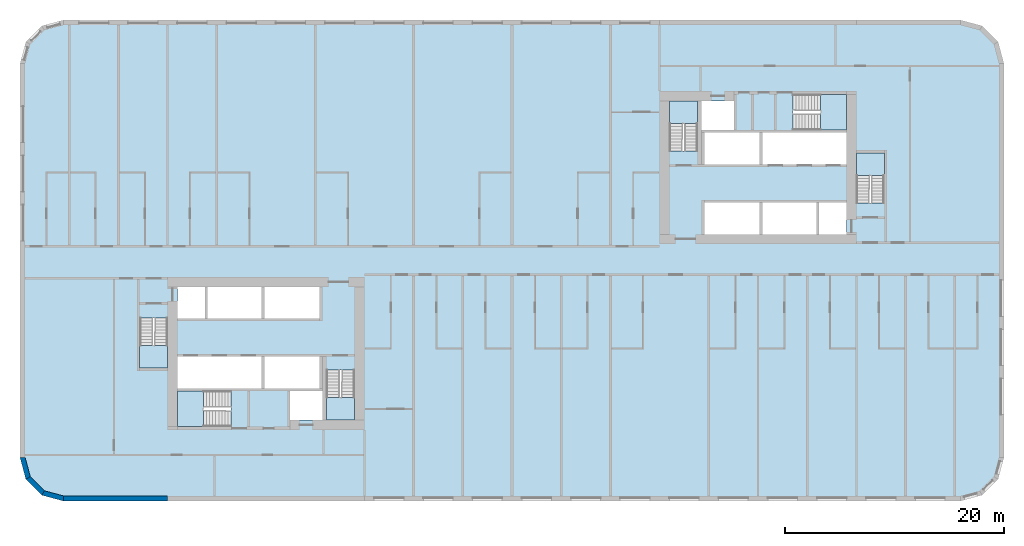
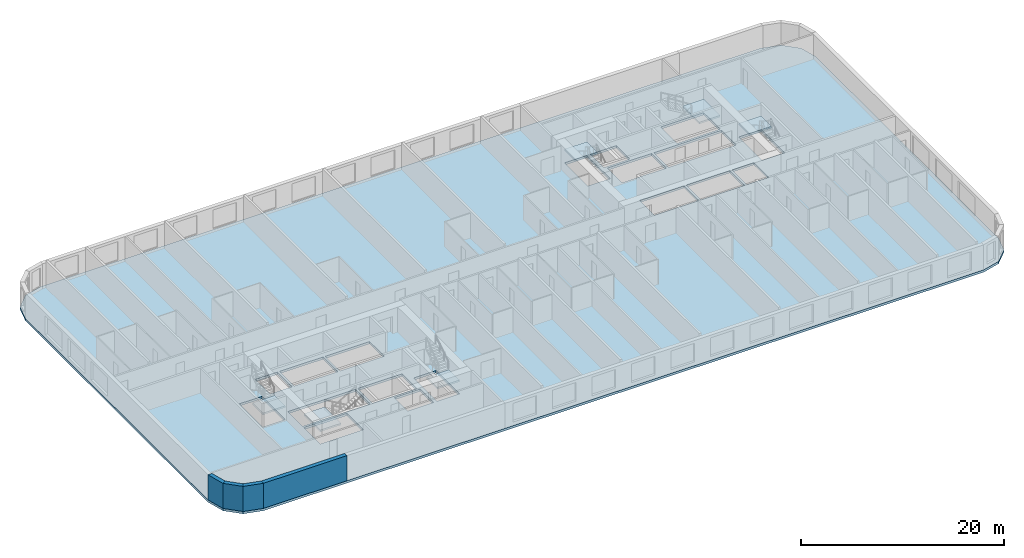
# One storey, part 1 of 12: 7 slabs, 4 walls, 6 elements without a shape of their own.
"""IFC4 building model written with IfcOpenShell, lengths in metres."""

from ifc_helpers import new_model, si_unit, direction, frame, frame_2d, origin, place, context, subcontext, project, spatial, polyline, rectangle, outline, extrude, material, layer, layer_set, type_object, element, aggregate, save


model = new_model("IFC4")

# Units and contexts
model_context = context("Model", 3, precision=1e-05, world=origin(), true_north=direction((0.0, 1.0)))
body_context = subcontext(model_context, "Body", "Model", "MODEL_VIEW")
ifc_project = project(units=[si_unit("LENGTHUNIT", "METRE"), si_unit("AREAUNIT", "SQUARE_METRE"), si_unit("VOLUMEUNIT", "CUBIC_METRE"), si_unit("PLANEANGLEUNIT", "RADIAN"), si_unit("MASSUNIT", "GRAM", prefix="KILO")], contexts=[model_context])

# Site, building, storey
site_placement = place(None, origin())
site = spatial("IfcSite", under=ifc_project, at=site_placement, CompositionType="ELEMENT")
building_placement = place(site_placement, origin())
building = spatial("IfcBuilding", under=site, at=building_placement, Name="Kajstack Hotel Tower", CompositionType="ELEMENT")
storey_placement = place(building_placement, frame((0.0, 0.0, 86.39990234375)))
storey = spatial("IfcBuildingStorey", under=building, at=storey_placement, Name="L17", CompositionType="ELEMENT", Elevation=86.39990234375)

# Slab
ifc_material_1 = material(Name="Concrete C40/50", Category="concrete")
ifc_layer_1 = layer(ifc_material_1, 0.280029296875)
ifc_layer_set_1 = layer_set([ifc_layer_1], Name="RC slab 280 C40/50 guest")
slab_type_1 = type_object("IfcSlabType", Name="RC slab 280 C40/50 guest", PredefinedType="FLOOR", material=ifc_layer_set_1)
slab_1_placement = place(storey_placement, frame((0.0, 0.0, -0.27978515625)))
element("IfcSlab", 1, at=slab_1_placement, inside=storey, type_object=slab_type_1, Name="S-slab-L17", PredefinedType="FLOOR", context=body_context, shape_type="SweptSolid", body=[
    extrude(outline(polyline([(-45.0, -18.0), (-44.464111328125, -20.0), (-43.0, -21.464111328125), (-41.0, -22.0), (41.0, -22.0), (43.0, -21.464111328125), (44.464111328125, -20.0), (45.0, -18.0), (45.0, 18.0), (44.464111328125, 20.0), (43.0, 21.464111328125), (41.0, 22.0), (-41.0, 22.0), (-43.0, 21.464111328125), (-44.464111328125, 20.0), (-45.0, 18.0), (-45.0, -18.0)]), holes=[polyline([(-30.60009765625, -11.699951171875), (-30.60009765625, -8.800048828125), (-22.89990234375, -8.800048828125), (-22.89990234375, -11.699951171875), (-30.60009765625, -11.699951171875)]), polyline([(-22.64990234375, -11.699951171875), (-22.64990234375, -8.800048828125), (-17.60009765625, -8.800048828125), (-17.60009765625, -11.699951171875), (-22.64990234375, -11.699951171875)]), polyline([(-27.85009765625, -5.300048828125), (-27.85009765625, -2.39990234375), (-22.89990234375, -2.39990234375), (-22.89990234375, -5.300048828125), (-27.85009765625, -5.300048828125)]), polyline([(-22.64990234375, -5.300048828125), (-22.64990234375, -2.39990234375), (-17.60009765625, -2.39990234375), (-17.60009765625, -5.300048828125), (-22.64990234375, -5.300048828125)]), polyline([(-20.300048828125, -14.60009765625), (-17.35009765625, -14.60009765625), (-17.35009765625, -11.949951171875), (-20.300048828125, -11.949951171875), (-20.300048828125, -14.60009765625)]), polyline([(-30.60009765625, -5.300048828125), (-28.10009765625, -5.300048828125), (-28.10009765625, -2.39990234375), (-30.60009765625, -2.39990234375), (-30.60009765625, -5.300048828125)]), polyline([(22.89990234375, 8.800048828125), (22.89990234375, 11.699951171875), (30.60009765625, 11.699951171875), (30.60009765625, 8.800048828125), (22.89990234375, 8.800048828125)]), polyline([(17.60009765625, 8.800048828125), (17.60009765625, 11.699951171875), (22.64990234375, 11.699951171875), (22.64990234375, 8.800048828125), (17.60009765625, 8.800048828125)]), polyline([(22.89990234375, 2.39990234375), (22.89990234375, 5.300048828125), (27.85009765625, 5.300048828125), (27.85009765625, 2.39990234375), (22.89990234375, 2.39990234375)]), polyline([(17.60009765625, 2.39990234375), (17.60009765625, 5.300048828125), (22.64990234375, 5.300048828125), (22.64990234375, 2.39990234375), (17.60009765625, 2.39990234375)]), polyline([(20.300048828125, 14.60009765625), (17.35009765625, 14.60009765625), (17.35009765625, 11.949951171875), (20.300048828125, 11.949951171875), (20.300048828125, 14.60009765625)]), polyline([(30.60009765625, 5.300048828125), (28.10009765625, 5.300048828125), (28.10009765625, 2.39990234375), (30.60009765625, 2.39990234375), (30.60009765625, 5.300048828125)]), polyline([(-34.050048828125, -9.85009765625), (-31.5, -9.85009765625), (-31.5, -5.25), (-34.050048828125, -5.25), (-34.050048828125, -9.85009765625)]), polyline([(-16.949951171875, -14.60009765625), (-14.39990234375, -14.60009765625), (-14.39990234375, -10.0), (-16.949951171875, -10.0), (-16.949951171875, -14.60009765625)]), polyline([(-30.60009765625, -15.199951171875), (-25.699951171875, -15.199951171875), (-25.699951171875, -11.949951171875), (-30.60009765625, -11.949951171875), (-30.60009765625, -15.199951171875)]), polyline([(34.050048828125, 9.85009765625), (31.5, 9.85009765625), (31.5, 5.25), (34.050048828125, 5.25), (34.050048828125, 9.85009765625)]), polyline([(16.949951171875, 14.60009765625), (14.39990234375, 14.60009765625), (14.39990234375, 10.0), (16.949951171875, 10.0), (16.949951171875, 14.60009765625)]), polyline([(30.60009765625, 15.199951171875), (25.699951171875, 15.199951171875), (25.699951171875, 11.949951171875), (30.60009765625, 11.949951171875), (30.60009765625, 15.199951171875)])]), origin(), (0.0, 0.0, 1.0), 0.27978515625),
])

# Stair, slab
stair_type_1 = type_object("IfcStairType", Name="Exit stair 1200", PredefinedType="HALF_TURN_STAIR", material=ifc_material_1)
stair_1_placement = place(storey_placement, origin())
stair_1 = element("IfcStair", 2, at=stair_1_placement, inside=storey, type_object=stair_type_1, Name="L17 stair W1", PredefinedType="HALF_TURN_STAIR")
ifc_layer_2 = layer(ifc_material_1, 0.199951171875)
ifc_layer_set_2 = layer_set([ifc_layer_2], Name="Stair landing 200")
slab_type_2 = type_object("IfcSlabType", Name="Stair landing 200", PredefinedType="LANDING", material=ifc_layer_set_2)
slab_2_placement = place(storey_placement, frame((0.0, 0.0, 1.4501953125)))
slab_2 = element("IfcSlab", 3, at=slab_2_placement, type_object=slab_type_2, Name="W1 landing 1", PredefinedType="LANDING", context=body_context, shape_type="SweptSolid", body=[
    extrude(outline(polyline([(-34.050048828125, -7.77001953125), (-34.050048828125, -9.85009765625), (-31.5, -9.85009765625), (-31.5, -7.77001953125), (-34.050048828125, -7.77001953125)])), origin(), (0.0, 0.0, 1.0), 0.199951171875),
])
aggregate(stair_1, [slab_2])

stair_2_placement = place(storey_placement, origin())
stair_2 = element("IfcStair", 4, at=stair_2_placement, inside=storey, type_object=stair_type_1, Name="L17 stair W2", PredefinedType="HALF_TURN_STAIR")
slab_3_placement = place(storey_placement, frame((0.0, 0.0, 1.4501953125)))
slab_3 = element("IfcSlab", 5, at=slab_3_placement, type_object=slab_type_2, Name="W2 landing 1", PredefinedType="LANDING", context=body_context, shape_type="SweptSolid", body=[
    extrude(outline(polyline([(-16.949951171875, -12.52001953125), (-16.949951171875, -14.60009765625), (-14.39990234375, -14.60009765625), (-14.39990234375, -12.52001953125), (-16.949951171875, -12.52001953125)])), origin(), (0.0, 0.0, 1.0), 0.199951171875),
])
aggregate(stair_2, [slab_3])

stair_type_2 = type_object("IfcStairType", Name="Exit stair 1500", PredefinedType="HALF_TURN_STAIR", material=ifc_material_1)
stair_3_placement = place(storey_placement, origin())
stair_3 = element("IfcStair", 6, at=stair_3_placement, inside=storey, type_object=stair_type_2, Name="L17 stair W3", PredefinedType="HALF_TURN_STAIR")
slab_4_placement = place(storey_placement, frame((0.0, 0.0, 1.4501953125)))
slab_4 = element("IfcSlab", 7, at=slab_4_placement, type_object=slab_type_2, Name="W3 landing 1", PredefinedType="LANDING", context=body_context, shape_type="SweptSolid", body=[
    extrude(outline(polyline([(-28.219970703125, -11.949951171875), (-30.60009765625, -11.949951171875), (-30.60009765625, -15.199951171875), (-28.219970703125, -15.199951171875), (-28.219970703125, -11.949951171875)])), origin(), (0.0, 0.0, 1.0), 0.199951171875),
])
aggregate(stair_3, [slab_4])

stair_4_placement = place(storey_placement, origin())
stair_4 = element("IfcStair", 8, at=stair_4_placement, inside=storey, type_object=stair_type_1, Name="L17 stair E1", PredefinedType="HALF_TURN_STAIR")
slab_5_placement = place(storey_placement, frame((0.0, 0.0, 1.4501953125)))
slab_5 = element("IfcSlab", 9, at=slab_5_placement, type_object=slab_type_2, Name="E1 landing 1", PredefinedType="LANDING", context=body_context, shape_type="SweptSolid", body=[
    extrude(outline(polyline([(34.050048828125, 7.77001953125), (34.050048828125, 9.85009765625), (31.5, 9.85009765625), (31.5, 7.77001953125), (34.050048828125, 7.77001953125)])), origin(), (0.0, 0.0, 1.0), 0.199951171875),
])
aggregate(stair_4, [slab_5])

stair_5_placement = place(storey_placement, origin())
stair_5 = element("IfcStair", 10, at=stair_5_placement, inside=storey, type_object=stair_type_1, Name="L17 stair E2", PredefinedType="HALF_TURN_STAIR")
slab_6_placement = place(storey_placement, frame((0.0, 0.0, 1.4501953125)))
slab_6 = element("IfcSlab", 11, at=slab_6_placement, type_object=slab_type_2, Name="E2 landing 1", PredefinedType="LANDING", context=body_context, shape_type="SweptSolid", body=[
    extrude(outline(polyline([(16.949951171875, 12.52001953125), (16.949951171875, 14.60009765625), (14.39990234375, 14.60009765625), (14.39990234375, 12.52001953125), (16.949951171875, 12.52001953125)])), origin(), (0.0, 0.0, 1.0), 0.199951171875),
])
aggregate(stair_5, [slab_6])

stair_6_placement = place(storey_placement, origin())
stair_6 = element("IfcStair", 12, at=stair_6_placement, inside=storey, type_object=stair_type_2, Name="L17 stair E3", PredefinedType="HALF_TURN_STAIR")
slab_7_placement = place(storey_placement, frame((0.0, 0.0, 1.4501953125)))
slab_7 = element("IfcSlab", 13, at=slab_7_placement, type_object=slab_type_2, Name="E3 landing 1", PredefinedType="LANDING", context=body_context, shape_type="SweptSolid", body=[
    extrude(outline(polyline([(28.219970703125, 11.949951171875), (30.60009765625, 11.949951171875), (30.60009765625, 15.199951171875), (28.219970703125, 15.199951171875), (28.219970703125, 11.949951171875)])), origin(), (0.0, 0.0, 1.0), 0.199951171875),
])
aggregate(stair_6, [slab_7])

# Walls
ifc_material_2 = material(Name="Terracotta-faced brick masonry", Category="masonry")
ifc_layer_3 = layer(ifc_material_2, 0.449951171875)
ifc_layer_set_3 = layer_set([ifc_layer_3], Name="EW-TERRA")
wall_type = type_object("IfcWallType", Name="EW-TERRA", PredefinedType="SOLIDWALL", material=ifc_layer_set_3)
wall_1_placement = place(storey_placement, frame((-44.78271484375, -17.941650390625, 0.0), z_axis=(0.0, 0.0, 1.0), x_axis=(0.25881466832, -0.965926999034, 0.0)))
element("IfcWall", 14, at=wall_1_placement, inside=storey, type_object=wall_type, Name="E-wall-L17-00-00", PredefinedType="SOLIDWALL", context=body_context, shape_type="SweptSolid", body=[
    extrude(outline(polyline([(0.000244140625, -0.22509765625), (2.070556640625, -0.224853515625), (1.9501953125, 0.22509765625), (0.12060546875, 0.22509765625), (0.000244140625, -0.22509765625)])), origin(), (0.0, 0.0, 1.0), 3.02001953125),
])
wall_2_placement = place(storey_placement, frame((-44.304931640625, -19.8408203125, 0.0), z_axis=(0.0, 0.0, 1.0), x_axis=(0.707106781187, -0.707106781187, 0.0)))
element("IfcWall", 15, at=wall_2_placement, inside=storey, type_object=wall_type, Name="E-wall-L17-01-00", PredefinedType="SOLIDWALL", context=body_context, shape_type="SweptSolid", body=[
    extrude(outline(polyline([(0.0, -0.22509765625), (2.070556640625, -0.22509765625), (1.949951171875, 0.224853515625), (0.12060546875, 0.224853515625), (0.0, -0.22509765625)])), origin(), (0.0, 0.0, 1.0), 3.02001953125),
])
wall_3_placement = place(storey_placement, frame((-42.941650390625, -21.246826171875, 0.0), z_axis=(0.0, 0.0, 1.0), x_axis=(0.965926999034, -0.25881466832, 0.0)))
element("IfcWall", 16, at=wall_3_placement, inside=storey, type_object=wall_type, Name="E-wall-L17-02-00", PredefinedType="SOLIDWALL", context=body_context, shape_type="SweptSolid", body=[
    extrude(outline(polyline([(-0.000244140625, -0.224853515625), (2.0703125, -0.22509765625), (1.949951171875, 0.22509765625), (0.120361328125, 0.22509765625), (-0.000244140625, -0.224853515625)])), origin(), (0.0, 0.0, 1.0), 3.02001953125),
])
wall_4_placement = place(storey_placement, frame((-41.0, -21.77490234375, 0.0), z_axis=(0.0, 0.0, 1.0), x_axis=(1.0, 0.0, 0.0)))
element("IfcWall", 17, at=wall_4_placement, inside=storey, type_object=wall_type, Name="E-wall-L17-03-00", PredefinedType="SOLIDWALL", context=body_context, shape_type="SweptSolid", body=[
    extrude(rectangle(XDim=9.5, YDim=0.449951171875, at=frame_2d((4.75, 0.0))), origin(), (0.0, 0.0, 1.0), 3.02001953125),
])

save(model, "model.ifc")
